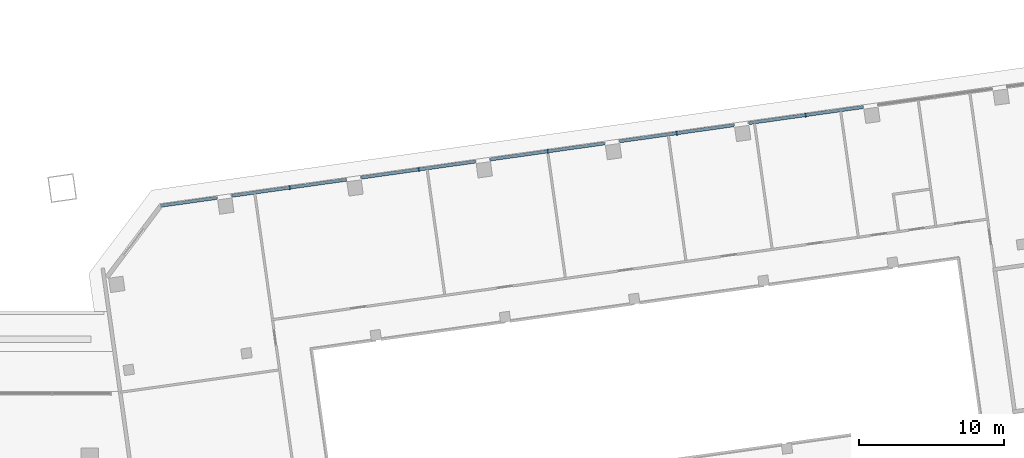
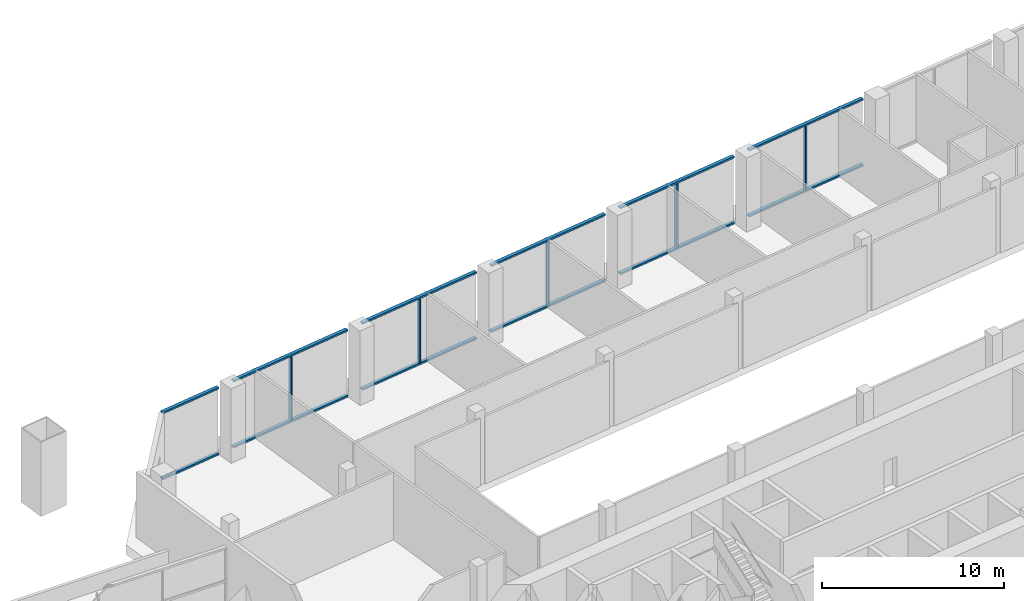
# One storey, part 6 of 21: 17 members, 1 element without a shape of its own.
"""IFC4 building model written with IfcOpenShell, lengths in metres."""

from ifc_helpers import new_model, si_unit, direction, frame, origin, origin_2d, place, context, subcontext, project, spatial, rectangle, extrude, material, material_profile, profile_set, type_object, element, aggregate, save


model = new_model("IFC4")

# Units and contexts
model_context = context("Model", 3, precision=1e-05, world=origin(), true_north=direction((0.0, 1.0)))
body_context = subcontext(model_context, "Body", "Model", "MODEL_VIEW")
ifc_project = project(units=[si_unit("LENGTHUNIT", "METRE"), si_unit("AREAUNIT", "SQUARE_METRE"), si_unit("VOLUMEUNIT", "CUBIC_METRE"), si_unit("PLANEANGLEUNIT", "RADIAN"), si_unit("MASSUNIT", "GRAM", prefix="KILO")], contexts=[model_context])

# Site, building, storey
site_placement = place(None, origin())
site = spatial("IfcSite", under=ifc_project, at=site_placement, CompositionType="ELEMENT")
building_placement = place(site_placement, origin())
building = spatial("IfcBuilding", under=site, at=building_placement, Name="Mirante Cascada Hotel Towers", CompositionType="ELEMENT")
storey_placement = place(building_placement, frame((0.0, 0.0, 34.5)))
storey = spatial("IfcBuildingStorey", under=building, at=storey_placement, Name="L05", CompositionType="ELEMENT", Elevation=34.5)

# Curtain wall, members
ifc_material_1 = material(Name="Aluminium mullion and transom frame with clear laminated glass", Category="aluminium")
curtain_wall_type = type_object("IfcCurtainWallType", Name="Podium curtain wall ECW3", PredefinedType="NOTDEFINED", material=ifc_material_1)
curtain_wall_placement = place(storey_placement, origin())
curtain_wall = element("IfcCurtainWall", 1, at=curtain_wall_placement, inside=storey, type_object=curtain_wall_type, Name="Front podium glazing T2 L05", PredefinedType="NOTDEFINED")
ifc_material_2 = material(Name="Anodised aluminium extrusion", Category="aluminium")
ifc_material_profile_1 = material_profile(ifc_material_2, rectangle(XDim=0.26, YDim=0.08, at=origin_2d()), Name="ECW3 MULLION 80x260")
ifc_profile_set_1 = profile_set([ifc_material_profile_1], Name="Anodised aluminium extrusion")
member_type_1 = type_object("IfcMemberType", Name="ECW3 mullion 80x260", PredefinedType="MULLION", material=ifc_profile_set_1)
member_1_placement = place(storey_placement, frame((76.3685, 23.5519, 0.12), z_axis=(0.0, 0.0, 1.0), x_axis=(0.1391731, -0.9902681, 0.0)))
member_1 = element("IfcMember", 2, at=member_1_placement, type_object=member_type_1, Name="ECW3 mullion 5", PredefinedType="MULLION", context=body_context, shape_type="SweptSolid", body=[
    extrude(rectangle(XDim=0.26, YDim=0.08, at=origin_2d()), origin(), (0.0, 0.0, 1.0), 4.31),
])
member_2_placement = place(storey_placement, frame((67.4737, 22.3018, 0.12), z_axis=(0.0, 0.0, 1.0), x_axis=(0.1391731, -0.9902681, 0.0)))
member_2 = element("IfcMember", 3, at=member_2_placement, type_object=member_type_1, Name="ECW3 mullion 7", PredefinedType="MULLION", context=body_context, shape_type="SweptSolid", body=[
    extrude(rectangle(XDim=0.26, YDim=0.08, at=origin_2d()), origin(), (0.0, 0.0, 1.0), 4.31),
])
member_3_placement = place(storey_placement, frame((58.5788, 21.0517, 0.12), z_axis=(0.0, 0.0, 1.0), x_axis=(0.1391731, -0.9902681, 0.0)))
member_3 = element("IfcMember", 4, at=member_3_placement, type_object=member_type_1, Name="ECW3 mullion 9", PredefinedType="MULLION", context=body_context, shape_type="SweptSolid", body=[
    extrude(rectangle(XDim=0.26, YDim=0.08, at=origin_2d()), origin(), (0.0, 0.0, 1.0), 4.31),
])
member_4_placement = place(storey_placement, frame((49.684, 19.8017, 0.12), z_axis=(0.0, 0.0, 1.0), x_axis=(0.1391731, -0.9902681, 0.0)))
member_4 = element("IfcMember", 5, at=member_4_placement, type_object=member_type_1, Name="ECW3 mullion 11", PredefinedType="MULLION", context=body_context, shape_type="SweptSolid", body=[
    extrude(rectangle(XDim=0.26, YDim=0.08, at=origin_2d()), origin(), (0.0, 0.0, 1.0), 4.31),
])
member_5_placement = place(storey_placement, frame((40.7892, 18.5516, 0.12), z_axis=(0.0, 0.0, 1.0), x_axis=(0.1391731, -0.9902681, 0.0)))
member_5 = element("IfcMember", 6, at=member_5_placement, type_object=member_type_1, Name="ECW3 mullion 13", PredefinedType="MULLION", context=body_context, shape_type="SweptSolid", body=[
    extrude(rectangle(XDim=0.26, YDim=0.08, at=origin_2d()), origin(), (0.0, 0.0, 1.0), 4.31),
])
ifc_material_3 = material(Name="Anodised aluminium extrusion", Category="aluminium")
ifc_material_profile_2 = material_profile(ifc_material_3, rectangle(XDim=0.22, YDim=0.12, at=origin_2d()), Name="ECW3 TRANSOM 120x220")
ifc_profile_set_2 = profile_set([ifc_material_profile_2], Name="Anodised aluminium extrusion")
member_type_2 = type_object("IfcMemberType", Name="ECW3 transom 120x220", PredefinedType="USERDEFINED", material=ifc_profile_set_2)
member_6_placement = place(storey_placement, frame((80.3361, 24.1095, 0.06), z_axis=(-0.9902683, -0.1391715, 0.0), x_axis=(0.1391715, -0.9902683, 0.0)))
member_6 = element("IfcMember", 7, at=member_6_placement, type_object=member_type_2, Name="ECW3 sill transom", ObjectType="TRANSOM", PredefinedType="USERDEFINED", context=body_context, shape_type="SweptSolid", body=[
    extrude(rectangle(XDim=0.22, YDim=0.12, at=origin_2d()), origin(), (0.0, 0.0, 1.0), 7.96),
])
member_7_placement = place(storey_placement, frame((71.4237, 22.857, 0.06), z_axis=(-0.9902683, -0.1391715, 0.0), x_axis=(0.1391715, -0.9902683, 0.0)))
member_7 = element("IfcMember", 8, at=member_7_placement, type_object=member_type_2, Name="ECW3 sill transom", ObjectType="TRANSOM", PredefinedType="USERDEFINED", context=body_context, shape_type="SweptSolid", body=[
    extrude(rectangle(XDim=0.22, YDim=0.12, at=origin_2d()), origin(), (0.0, 0.0, 1.0), 7.96),
])
member_8_placement = place(storey_placement, frame((62.5113, 21.6044, 0.06), z_axis=(-0.9902683, -0.1391715, 0.0), x_axis=(0.1391715, -0.9902683, 0.0)))
member_8 = element("IfcMember", 9, at=member_8_placement, type_object=member_type_2, Name="ECW3 sill transom", ObjectType="TRANSOM", PredefinedType="USERDEFINED", context=body_context, shape_type="SweptSolid", body=[
    extrude(rectangle(XDim=0.22, YDim=0.12, at=origin_2d()), origin(), (0.0, 0.0, 1.0), 7.96),
])
member_9_placement = place(storey_placement, frame((53.5989, 20.3519, 0.06), z_axis=(-0.9902666, -0.1391838, 0.0), x_axis=(0.1391838, -0.9902666, 0.0)))
member_9 = element("IfcMember", 10, at=member_9_placement, type_object=member_type_2, Name="ECW3 sill transom", ObjectType="TRANSOM", PredefinedType="USERDEFINED", context=body_context, shape_type="SweptSolid", body=[
    extrude(rectangle(XDim=0.22, YDim=0.12, at=origin_2d()), origin(), (0.0, 0.0, 1.0), 7.96),
])
member_10_placement = place(storey_placement, frame((44.6865, 19.0993, 0.06), z_axis=(-0.9902685, -0.1391698, 0.0), x_axis=(0.1391698, -0.9902685, 0.0)))
member_10 = element("IfcMember", 11, at=member_10_placement, type_object=member_type_2, Name="ECW3 sill transom", ObjectType="TRANSOM", PredefinedType="USERDEFINED", context=body_context, shape_type="SweptSolid", body=[
    extrude(rectangle(XDim=0.22, YDim=0.12, at=origin_2d()), origin(), (0.0, 0.0, 1.0), 7.9601),
])
member_11_placement = place(storey_placement, frame((35.7741, 17.8467, 0.06), z_axis=(-0.9902705, -0.1391555, 0.0), x_axis=(0.1391555, -0.9902705, 0.0)))
member_11 = element("IfcMember", 12, at=member_11_placement, type_object=member_type_2, Name="ECW3 sill transom", ObjectType="TRANSOM", PredefinedType="USERDEFINED", context=body_context, shape_type="SweptSolid", body=[
    extrude(rectangle(XDim=0.22, YDim=0.12, at=origin_2d()), origin(), (0.0, 0.0, 1.0), 3.9179),
])
member_12_placement = place(storey_placement, frame((80.3361, 24.1095, 4.49), z_axis=(-0.9902683, -0.1391715, 0.0), x_axis=(0.1391715, -0.9902683, 0.0)))
member_12 = element("IfcMember", 13, at=member_12_placement, type_object=member_type_2, Name="ECW3 head transom", ObjectType="TRANSOM", PredefinedType="USERDEFINED", context=body_context, shape_type="SweptSolid", body=[
    extrude(rectangle(XDim=0.22, YDim=0.12, at=origin_2d()), origin(), (0.0, 0.0, 1.0), 7.96),
])
member_13_placement = place(storey_placement, frame((71.4237, 22.857, 4.49), z_axis=(-0.9902683, -0.1391715, 0.0), x_axis=(0.1391715, -0.9902683, 0.0)))
member_13 = element("IfcMember", 14, at=member_13_placement, type_object=member_type_2, Name="ECW3 head transom", ObjectType="TRANSOM", PredefinedType="USERDEFINED", context=body_context, shape_type="SweptSolid", body=[
    extrude(rectangle(XDim=0.22, YDim=0.12, at=origin_2d()), origin(), (0.0, 0.0, 1.0), 7.96),
])
member_14_placement = place(storey_placement, frame((62.5113, 21.6044, 4.49), z_axis=(-0.9902683, -0.1391715, 0.0), x_axis=(0.1391715, -0.9902683, 0.0)))
member_14 = element("IfcMember", 15, at=member_14_placement, type_object=member_type_2, Name="ECW3 head transom", ObjectType="TRANSOM", PredefinedType="USERDEFINED", context=body_context, shape_type="SweptSolid", body=[
    extrude(rectangle(XDim=0.22, YDim=0.12, at=origin_2d()), origin(), (0.0, 0.0, 1.0), 7.96),
])
member_15_placement = place(storey_placement, frame((53.5989, 20.3519, 4.49), z_axis=(-0.9902666, -0.1391838, 0.0), x_axis=(0.1391838, -0.9902666, 0.0)))
member_15 = element("IfcMember", 16, at=member_15_placement, type_object=member_type_2, Name="ECW3 head transom", ObjectType="TRANSOM", PredefinedType="USERDEFINED", context=body_context, shape_type="SweptSolid", body=[
    extrude(rectangle(XDim=0.22, YDim=0.12, at=origin_2d()), origin(), (0.0, 0.0, 1.0), 7.96),
])
member_16_placement = place(storey_placement, frame((44.6865, 19.0993, 4.49), z_axis=(-0.9902685, -0.1391698, 0.0), x_axis=(0.1391698, -0.9902685, 0.0)))
member_16 = element("IfcMember", 17, at=member_16_placement, type_object=member_type_2, Name="ECW3 head transom", ObjectType="TRANSOM", PredefinedType="USERDEFINED", context=body_context, shape_type="SweptSolid", body=[
    extrude(rectangle(XDim=0.22, YDim=0.12, at=origin_2d()), origin(), (0.0, 0.0, 1.0), 7.9601),
])
member_17_placement = place(storey_placement, frame((35.7741, 17.8467, 4.49), z_axis=(-0.9902705, -0.1391555, 0.0), x_axis=(0.1391555, -0.9902705, 0.0)))
member_17 = element("IfcMember", 18, at=member_17_placement, type_object=member_type_2, Name="ECW3 head transom", ObjectType="TRANSOM", PredefinedType="USERDEFINED", context=body_context, shape_type="SweptSolid", body=[
    extrude(rectangle(XDim=0.22, YDim=0.12, at=origin_2d()), origin(), (0.0, 0.0, 1.0), 3.9179),
])
aggregate(curtain_wall, [member_6, member_7, member_8, member_9, member_10, member_11, member_12, member_13, member_14, member_15, member_16, member_17, member_1, member_2, member_3, member_4, member_5])

save(model, "model.ifc")
